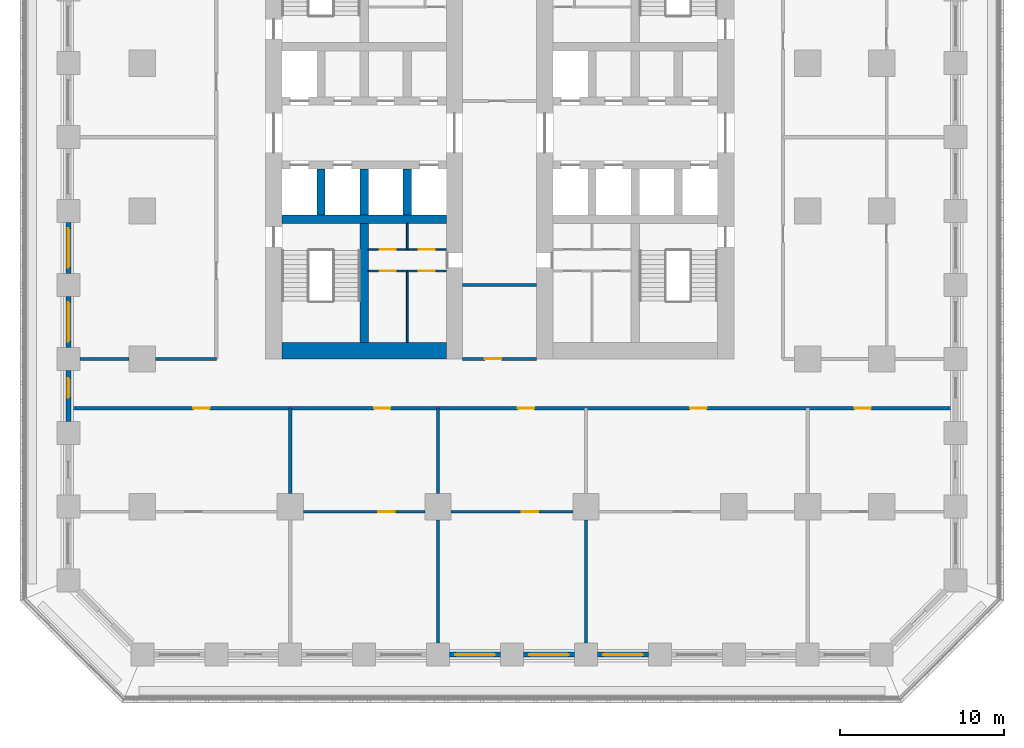
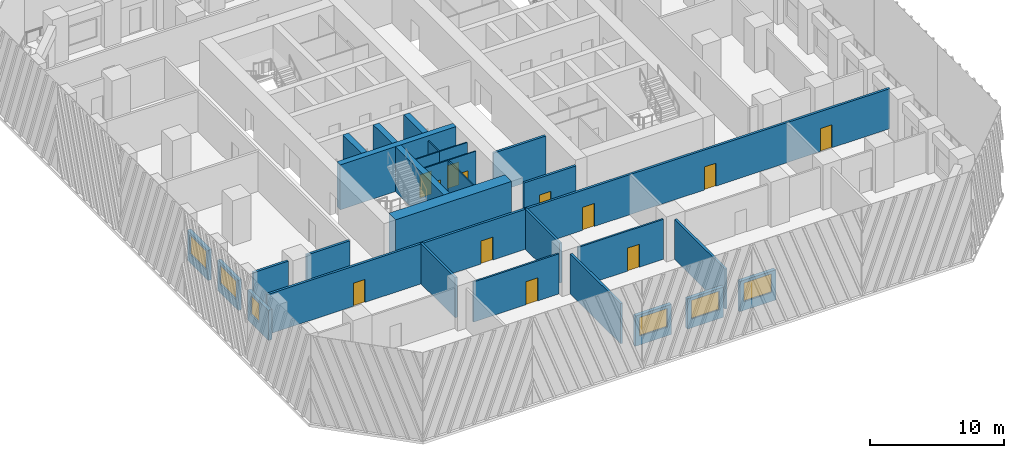
# One storey, part 3 of 14: 29 walls, 12 doors, 6 windows, 18 openings.
"""IFC4 building model written with IfcOpenShell, lengths in metres."""

import ifcopenshell
import ifcopenshell.guid

model = None  # the IFC model being written
_history = None  # IfcOwnerHistory: only IFC2X3 demands one
_inside = {}  # id of a spatial element -> (the spatial element, [elements in it])
_under = {}  # id of a project, library or spatial element -> (it, [spatial elements below it])
_declared = {}  # id of a project -> (the project, [libraries it declares])
_typed = {}  # id of a type object -> (the type object, [elements of that type])
_made_of = {}  # id of a material, layer set ... -> (it, [elements and type objects made of it])


def new_model(schema):
    """Start an empty IFC model of exactly this schema.

    Asked for "IFC4X3", IfcOpenShell would pick the latest addendum, in which some entities
    have other attributes; the version numbers below select the first issue.
    IFC2X3 requires an IfcOwnerHistory on every rooted entity: one is made here for all.
    """
    global model, _history
    if schema == "IFC4X3":
        model = ifcopenshell.file(schema_version=(4, 3, 0, 0))
    else:
        model = ifcopenshell.file(schema=schema)
    _inside.clear()
    _under.clear()
    _declared.clear()
    _typed.clear()
    _made_of.clear()
    _history = None
    if model.schema == "IFC2X3":
        org = make("IfcOrganization", Name="unknown")
        user = make(
            "IfcPersonAndOrganization",
            ThePerson=make("IfcPerson", FamilyName="unknown"),
            TheOrganization=org,
        )
        app = make(
            "IfcApplication",
            ApplicationDeveloper=org,
            Version="unknown",
            ApplicationFullName="unknown",
            ApplicationIdentifier="unknown",
        )
        _history = make(
            "IfcOwnerHistory",
            OwningUser=user,
            OwningApplication=app,
            ChangeAction="ADDED",
            CreationDate=0,
        )
    return model


def make(cls, **values):
    """One entity of the class cls with the attributes given. An attribute that is None is left unset."""
    return model.create_entity(
        cls, **{name: value for name, value in values.items() if value is not None}
    )


def rooted(cls, **values):
    """An entity with a GlobalId (a new one), such as an element, a storey or a relation."""
    return make(cls, GlobalId=ifcopenshell.guid.new(), OwnerHistory=_history, **values)


def si_unit(unit_type, name, prefix=None):
    """IfcSIUnit, for example si_unit("LENGTHUNIT", "METRE", prefix="MILLI")."""
    return make("IfcSIUnit", UnitType=unit_type, Prefix=prefix, Name=name)


def assignment(units):
    """IfcUnitAssignment: the units of a project."""
    return None if units is None else make("IfcUnitAssignment", Units=units)


def point(xyz):
    """IfcCartesianPoint."""
    return None if xyz is None else make("IfcCartesianPoint", Coordinates=xyz)


def direction(xyz):
    """IfcDirection."""
    return None if xyz is None else make("IfcDirection", DirectionRatios=xyz)


def frame(location, z_axis=None, x_axis=None):
    """IfcAxis2Placement3D, a coordinate frame: its origin and axes. An axis left out is left unset."""
    return make(
        "IfcAxis2Placement3D",
        Location=point(location),
        Axis=direction(z_axis),
        RefDirection=direction(x_axis),
    )


def frame_2d(location, x_axis=None):
    """IfcAxis2Placement2D, a coordinate frame in the plane: its origin and x axis."""
    return make(
        "IfcAxis2Placement2D", Location=point(location), RefDirection=direction(x_axis)
    )


def origin():
    """The frame at (0, 0, 0) with its axes left unset."""
    return frame((0.0, 0.0, 0.0))


def place(relative_to, where):
    """IfcLocalPlacement: puts the frame where relative to a parent placement (None: the world)."""
    return make(
        "IfcLocalPlacement", PlacementRelTo=relative_to, RelativePlacement=where
    )


def context(
    kind, dimensions, precision=None, world=None, true_north=None, identifier=None
):
    """IfcGeometricRepresentationContext, for example the 3D "Model" context."""
    return make(
        "IfcGeometricRepresentationContext",
        ContextIdentifier=identifier,
        ContextType=kind,
        CoordinateSpaceDimension=dimensions,
        Precision=precision,
        WorldCoordinateSystem=world,
        TrueNorth=true_north,
    )


def subcontext(parent, identifier, kind, view, scale=None):
    """IfcGeometricRepresentationSubContext, for example "Body" below "Model"."""
    return make(
        "IfcGeometricRepresentationSubContext",
        ContextIdentifier=identifier,
        ContextType=kind,
        ParentContext=parent,
        TargetScale=scale,
        TargetView=view,
    )


def project(units=None, contexts=None):
    """IfcProject with its units and contexts."""
    return rooted(
        "IfcProject",
        Name="project",
        RepresentationContexts=contexts,
        UnitsInContext=assignment(units),
    )


def spatial(cls, under=None, at=None, **own):
    """A site, building, storey or space (cls), placed at a placement, below another one or the project."""
    s = rooted(cls, ObjectPlacement=at, **own)
    if under is not None:
        _under.setdefault(under.id(), (under, []))[1].append(s)
    return s


def profile(cls, at=None, kind="AREA", **sizes):
    """A parametric profile (cls). Its sizes go by their IFC names, for example OverallWidth=200.0."""
    return make(cls, ProfileType=kind, Position=at, **sizes)


def rectangle(**sizes):
    """IfcRectangleProfileDef."""
    return profile("IfcRectangleProfileDef", **sizes)


def extrude(swept, where, along, depth):
    """IfcExtrudedAreaSolid: the profile swept, set in the frame where, extruded along a direction by depth."""
    return make(
        "IfcExtrudedAreaSolid",
        SweptArea=swept,
        Position=where,
        ExtrudedDirection=direction(along),
        Depth=depth,
    )


def shape(context_of_items, identifier, shape_type, items):
    """IfcShapeRepresentation: the items that make up one representation, for example the "Body"."""
    return make(
        "IfcShapeRepresentation",
        ContextOfItems=context_of_items,
        RepresentationIdentifier=identifier,
        RepresentationType=shape_type,
        Items=items,
    )


def material(Name=None, Category=None):
    """IfcMaterial."""
    return make("IfcMaterial", Name=Name, Category=Category)


def layer(
    of_material, thickness, ventilated=None, Name=None, Category=None, Priority=None
):
    """IfcMaterialLayer: one layer of a wall or slab, of a material (None: an air gap)."""
    return make(
        "IfcMaterialLayer",
        Material=of_material,
        LayerThickness=thickness,
        IsVentilated=ventilated,
        Name=Name,
        Category=Category,
        Priority=Priority,
    )


def layer_set(layers, Name=None):
    """IfcMaterialLayerSet."""
    return make("IfcMaterialLayerSet", MaterialLayers=layers, LayerSetName=Name)


def made_of(thing, what):
    """Note that an element or type object is made of a material, layer set ...; save() writes the relation."""
    if what is not None:
        _made_of.setdefault(what.id(), (what, []))[1].append(thing)
    return thing


def type_object(cls, material=None, **own):
    """A type object (cls), such as IfcWallType, which elements share."""
    return made_of(rooted(cls, **own), material)


def element(
    cls,
    number,
    at=None,
    inside=None,
    cuts=None,
    type_object=None,
    material=None,
    context=None,
    identifier="Body",
    shape_type=None,
    held_by="IfcProductDefinitionShape",
    body=None,
    shapes=None,
    **own,
):
    """One element of the class cls, such as IfcWall. Its Tag is "e" and its number.

    at: its placement. inside: the storey or other place that contains it. cuts: it is an
    opening in that element (IfcRelVoidsElement). A single representation is given by context,
    identifier, shape_type and body (its items); several are given by shapes. held_by: the class
    of the entity that holds the representations. save() writes the other relations.
    """
    e = rooted(cls, Tag="e%d" % number, ObjectPlacement=at, **own)
    if body is not None:
        shapes = [shape(context, identifier, shape_type, body)]
    if shapes is not None:
        e.Representation = make(held_by, Representations=shapes)
    if inside is not None:
        _inside.setdefault(inside.id(), (inside, []))[1].append(e)
    if cuts is not None:
        rooted(
            "IfcRelVoidsElement", RelatingBuildingElement=cuts, RelatedOpeningElement=e
        )
    if type_object is not None:
        _typed.setdefault(type_object.id(), (type_object, []))[1].append(e)
    return made_of(e, material)


def fill(opening, filler):
    """IfcRelFillsElement: the door or window that sits in an opening."""
    return rooted(
        "IfcRelFillsElement",
        RelatingOpeningElement=opening,
        RelatedBuildingElement=filler,
    )


def aggregate(whole, parts):
    """IfcRelAggregates: a whole, such as a stair, and the parts it consists of."""
    return rooted("IfcRelAggregates", RelatingObject=whole, RelatedObjects=parts)


def save(model, path):
    """Write the relations noted so far, then the file.

    IfcRelAggregates (storeys below a building ...), IfcRelContainedInSpatialStructure (elements
    in a storey), IfcRelDefinesByType, IfcRelAssociatesMaterial and IfcRelDeclares: one each for
    every whole, place, type object, material and project.
    """
    for whole, parts in _under.values():
        aggregate(whole, parts)
    for where, things in _inside.values():
        rooted(
            "IfcRelContainedInSpatialStructure",
            RelatedElements=things,
            RelatingStructure=where,
        )
    for kind, things in _typed.values():
        rooted("IfcRelDefinesByType", RelatedObjects=things, RelatingType=kind)
    for what, things in _made_of.values():
        rooted("IfcRelAssociatesMaterial", RelatedObjects=things, RelatingMaterial=what)
    for by, libraries in _declared.values():
        rooted("IfcRelDeclares", RelatingContext=by, RelatedDefinitions=libraries)
    model.write(path)


model = new_model("IFC4")

# Units and contexts
model_context = context("Model", 3, precision=1e-05, world=origin(), true_north=direction((0.0, 1.0)))
body_context = subcontext(model_context, "Body", "Model", "MODEL_VIEW")
ifc_project = project(units=[si_unit("LENGTHUNIT", "METRE"), si_unit("AREAUNIT", "SQUARE_METRE"), si_unit("VOLUMEUNIT", "CUBIC_METRE"), si_unit("PLANEANGLEUNIT", "RADIAN"), si_unit("MASSUNIT", "GRAM", prefix="KILO")], contexts=[model_context])

# Site, building, storey
site_placement = place(None, origin())
site = spatial("IfcSite", under=ifc_project, at=site_placement, CompositionType="ELEMENT")
building_placement = place(site_placement, origin())
building = spatial("IfcBuilding", under=site, at=building_placement, Name="Corbel Stack Research Tower", CompositionType="ELEMENT")
storey_placement = place(building_placement, frame((0.0, 0.0, 58.300048828125)))
storey = spatial("IfcBuildingStorey", under=building, at=storey_placement, Name="L13", CompositionType="ELEMENT", Elevation=58.300048828125)

# Walls
ifc_material_1 = material(Name="Concrete C70/85", Category="concrete")
ifc_layer_1 = layer(ifc_material_1, 1.0)
ifc_layer_set_1 = layer_set([ifc_layer_1], Name="Concrete C70/85")
wall_type_1 = type_object("IfcWallType", Name="CW-1000-70", PredefinedType="SHEAR", material=ifc_layer_set_1)
wall_1_placement = place(storey_placement, frame((-9.5, -8.5, 0.0), z_axis=(0.0, 0.0, 1.0), x_axis=(1.0, 0.0, 0.0)))
element("IfcWall", 1, at=wall_1_placement, inside=storey, type_object=wall_type_1, Name="West core wall, south end L13", PredefinedType="SHEAR", context=body_context, shape_type="SweptSolid", body=[
    extrude(rectangle(XDim=10.0, YDim=1.0, at=frame_2d((5.0, 0.0))), origin(), (0.0, 0.0, 1.0), 4.099853515625),
])
ifc_material_2 = material(Name="Concrete C70/85", Category="concrete")
ifc_layer_2 = layer(ifc_material_2, 0.5)
ifc_layer_set_2 = layer_set([ifc_layer_2], Name="Concrete C70/85")
wall_type_2 = type_object("IfcWallType", Name="CW-500-70", PredefinedType="SHEAR", material=ifc_layer_set_2)
wall_2_placement = place(storey_placement, frame((-9.5, -0.5, 0.0), z_axis=(0.0, 0.0, 1.0), x_axis=(1.0, 0.0, 0.0)))
element("IfcWall", 2, at=wall_2_placement, inside=storey, type_object=wall_type_2, Name="West core wall, south row back L13", PredefinedType="SHEAR", context=body_context, shape_type="SweptSolid", body=[
    extrude(rectangle(XDim=10.0, YDim=0.5, at=frame_2d((5.0, 0.0))), origin(), (0.0, 0.0, 1.0), 4.099853515625),
])
for number, where, z_axis, x_axis, name in (
    (3, (-7.125, -0.25, 0.0), (0.0, 0.0, 1.0), (0.0, 1.0, 0.0), "West core wall, south shaft 1 L13"),
    (4, (-4.5, -0.25, 0.0), (0.0, 0.0, 1.0), (0.0, 1.0, 0.0), "West core wall, south shaft 2 L13"),
    (5, (-1.875, -0.25, 0.0), (0.0, 0.0, 1.0), (0.0, 1.0, 0.0), "West core wall, south shaft 3 L13"),
):
    element("IfcWall", number, at=place(storey_placement, frame(where, z_axis=z_axis, x_axis=x_axis)), inside=storey, type_object=wall_type_2, Name=name, PredefinedType="SHEAR", context=body_context, shape_type="SweptSolid", body=[
        extrude(rectangle(XDim=2.800048828125, YDim=0.5, at=frame_2d((1.39990234375, 0.0))), origin(), (0.0, 0.0, 1.0), 4.099853515625),
    ])
wall_3_placement = place(storey_placement, frame((-4.5, -8.0, 0.0), z_axis=(0.0, 0.0, 1.0), x_axis=(0.0, 1.0, 0.0)))
element("IfcWall", 6, at=wall_3_placement, inside=storey, type_object=wall_type_2, Name="West core wall, south stair and WC L13", PredefinedType="SHEAR", context=body_context, shape_type="SweptSolid", body=[
    extrude(rectangle(XDim=7.25, YDim=0.5, at=frame_2d((3.625, 0.0))), origin(), (0.0, 0.0, 1.0), 4.099853515625),
])

# Wall, opening, door
ifc_material_3 = material(Name="Gypsum board")
ifc_layer_3 = layer(ifc_material_3, 0.10009765625)
ifc_layer_set_3 = layer_set([ifc_layer_3], Name="Gypsum board")
wall_type_3 = type_object("IfcWallType", Name="Core partition 100", PredefinedType="PARTITIONING", material=ifc_layer_set_3)
wall_4_placement = place(storey_placement, frame((-1.875, -3.64990234375, 0.0), z_axis=(0.0, 0.0, 1.0), x_axis=(1.0, 0.0, 0.0)))
wall_4 = element("IfcWall", 7, at=wall_4_placement, inside=storey, type_object=wall_type_3, Name="Core partition W", PredefinedType="PARTITIONING", context=body_context, shape_type="SweptSolid", body=[
    extrude(rectangle(XDim=2.375, YDim=0.10009765625, at=frame_2d((1.1875, 0.0))), origin(), (0.0, 0.0, 1.0), 3.64990234375),
])
opening_1_placement = place(wall_4_placement, frame((0.6875, 0.0, 0.0)))
opening_1 = element("IfcOpeningElement", 8, at=opening_1_placement, cuts=wall_4, Name="Opening CR-W54-W2-1000", PredefinedType="OPENING", context=body_context, shape_type="SweptSolid", body=[
    extrude(rectangle(XDim=1.0, YDim=2.10009765625, at=frame_2d((0.5, 1.050048828125))), frame((0.0, 0.06005859375, 0.0), z_axis=(0.0, -1.0, 0.0), x_axis=(1.0, 0.0, 0.0)), (0.0, 0.0, 1.0), 0.1201171875),
])
ifc_material_4 = material(Name="Painted timber door", Category="wood")
door_type_1 = type_object("IfcDoorType", Name="WC door 1000 x 2100 right hand", OperationType="SINGLE_SWING_RIGHT", PredefinedType="DOOR", material=ifc_material_4)
door_1_placement = place(opening_1_placement, origin())
door_1 = element("IfcDoor", 9, at=door_1_placement, inside=storey, type_object=door_type_1, Name="Women's WC door W core", OperationType="SINGLE_SWING_RIGHT", OverallHeight=2.10009765625, OverallWidth=1.0, PredefinedType="DOOR", context=body_context, shape_type="SweptSolid", body=[
    extrude(rectangle(XDim=1.0, YDim=2.10009765625, at=frame_2d((0.5, 1.050048828125))), frame((0.0, 0.02490234375, 0.0), z_axis=(0.0, -1.0, 0.0), x_axis=(1.0, 0.0, 0.0)), (0.0, 0.0, 1.0), 0.050048828125),
])
fill(opening_1, door_1)

wall_5_placement = place(storey_placement, frame((-4.25, -3.64990234375, 0.0), z_axis=(0.0, 0.0, 1.0), x_axis=(1.0, 0.0, 0.0)))
wall_5 = element("IfcWall", 10, at=wall_5_placement, inside=storey, type_object=wall_type_3, Name="Core partition W", PredefinedType="PARTITIONING", context=body_context, shape_type="SweptSolid", body=[
    extrude(rectangle(XDim=2.375, YDim=0.10009765625, at=frame_2d((1.1875, 0.0))), origin(), (0.0, 0.0, 1.0), 3.64990234375),
])
opening_2_placement = place(wall_5_placement, frame((0.6875, 0.0, 0.0)))
opening_2 = element("IfcOpeningElement", 11, at=opening_2_placement, cuts=wall_5, Name="Opening CR-W54-W3-1000", PredefinedType="OPENING", context=body_context, shape_type="SweptSolid", body=[
    extrude(rectangle(XDim=1.0, YDim=2.10009765625, at=frame_2d((0.5, 1.050048828125))), frame((0.0, 0.06005859375, 0.0), z_axis=(0.0, -1.0, 0.0), x_axis=(1.0, 0.0, 0.0)), (0.0, 0.0, 1.0), 0.1201171875),
])
ifc_material_5 = material(Name="Painted timber door", Category="wood")
door_type_2 = type_object("IfcDoorType", Name="WC door 1000 x 2100 left hand", OperationType="SINGLE_SWING_LEFT", PredefinedType="DOOR", material=ifc_material_5)
door_2_placement = place(opening_2_placement, origin())
door_2 = element("IfcDoor", 12, at=door_2_placement, inside=storey, type_object=door_type_2, Name="Men's WC door W core", OperationType="SINGLE_SWING_LEFT", OverallHeight=2.10009765625, OverallWidth=1.0, PredefinedType="DOOR", context=body_context, shape_type="SweptSolid", body=[
    extrude(rectangle(XDim=1.0, YDim=2.10009765625, at=frame_2d((0.5, 1.050048828125))), frame((0.0, 0.02490234375, 0.0), z_axis=(0.0, -1.0, 0.0), x_axis=(1.0, 0.0, 0.0)), (0.0, 0.0, 1.0), 0.050048828125),
])
fill(opening_2, door_2)

wall_6_placement = place(storey_placement, frame((-1.875, -2.344970703125, 0.0), z_axis=(0.0, 0.0, 1.0), x_axis=(1.0, 0.0, 0.0)))
wall_6 = element("IfcWall", 13, at=wall_6_placement, inside=storey, type_object=wall_type_3, Name="Core partition W", PredefinedType="PARTITIONING", context=body_context, shape_type="SweptSolid", body=[
    extrude(rectangle(XDim=2.375, YDim=0.10009765625, at=frame_2d((1.1875, 0.0))), origin(), (0.0, 0.0, 1.0), 3.64990234375),
])
opening_3_placement = place(wall_6_placement, frame((0.6875, 0.0, 0.0)))
opening_3 = element("IfcOpeningElement", 14, at=opening_3_placement, cuts=wall_6, Name="Opening CR-W54-W4-1000", PredefinedType="OPENING", context=body_context, shape_type="SweptSolid", body=[
    extrude(rectangle(XDim=1.0, YDim=2.10009765625, at=frame_2d((0.5, 1.050048828125))), frame((0.0, 0.06005859375, 0.0), z_axis=(0.0, -1.0, 0.0), x_axis=(1.0, 0.0, 0.0)), (0.0, 0.0, 1.0), 0.1201171875),
])
door_3_placement = place(opening_3_placement, origin())
door_3 = element("IfcDoor", 15, at=door_3_placement, inside=storey, type_object=door_type_1, Name="Accessible WC door W core", OperationType="SINGLE_SWING_RIGHT", OverallHeight=2.10009765625, OverallWidth=1.0, PredefinedType="DOOR", context=body_context, shape_type="SweptSolid", body=[
    extrude(rectangle(XDim=1.0, YDim=2.10009765625, at=frame_2d((0.5, 1.050048828125))), frame((0.0, 0.02490234375, 0.0), z_axis=(0.0, -1.0, 0.0), x_axis=(1.0, 0.0, 0.0)), (0.0, 0.0, 1.0), 0.050048828125),
])
fill(opening_3, door_3)

wall_7_placement = place(storey_placement, frame((-4.25, -2.344970703125, 0.0), z_axis=(0.0, 0.0, 1.0), x_axis=(1.0, 0.0, 0.0)))
wall_7 = element("IfcWall", 16, at=wall_7_placement, inside=storey, type_object=wall_type_3, Name="Core partition W", PredefinedType="PARTITIONING", context=body_context, shape_type="SweptSolid", body=[
    extrude(rectangle(XDim=2.375, YDim=0.10009765625, at=frame_2d((1.1875, 0.0))), origin(), (0.0, 0.0, 1.0), 3.64990234375),
])
opening_4_placement = place(wall_7_placement, frame((0.6875, 0.0, 0.0)))
opening_4 = element("IfcOpeningElement", 17, at=opening_4_placement, cuts=wall_7, Name="Opening CR-W54-W5-1000", PredefinedType="OPENING", context=body_context, shape_type="SweptSolid", body=[
    extrude(rectangle(XDim=1.0, YDim=2.10009765625, at=frame_2d((0.5, 1.050048828125))), frame((0.0, 0.06005859375, 0.0), z_axis=(0.0, -1.0, 0.0), x_axis=(1.0, 0.0, 0.0)), (0.0, 0.0, 1.0), 0.1201171875),
])
door_4_placement = place(opening_4_placement, origin())
door_4 = element("IfcDoor", 18, at=door_4_placement, inside=storey, type_object=door_type_2, Name="Shower and changing room door W core", OperationType="SINGLE_SWING_LEFT", OverallHeight=2.10009765625, OverallWidth=1.0, PredefinedType="DOOR", context=body_context, shape_type="SweptSolid", body=[
    extrude(rectangle(XDim=1.0, YDim=2.10009765625, at=frame_2d((0.5, 1.050048828125))), frame((0.0, 0.02490234375, 0.0), z_axis=(0.0, -1.0, 0.0), x_axis=(1.0, 0.0, 0.0)), (0.0, 0.0, 1.0), 0.050048828125),
])
fill(opening_4, door_4)

# Walls
wall_8_placement = place(storey_placement, frame((-1.875, -8.0, 0.0), z_axis=(0.0, 0.0, 1.0), x_axis=(0.0, 1.0, 0.0)))
element("IfcWall", 19, at=wall_8_placement, inside=storey, type_object=wall_type_3, Name="Core partition W", PredefinedType="PARTITIONING", context=body_context, shape_type="SweptSolid", body=[
    extrude(rectangle(XDim=4.35009765625, YDim=0.10009765625, at=frame_2d((2.175048828125, 0.0))), origin(), (0.0, 0.0, 1.0), 3.64990234375),
])
wall_9_placement = place(storey_placement, frame((-1.875, -2.344970703125, 0.0), z_axis=(0.0, 0.0, 1.0), x_axis=(0.0, 1.0, 0.0)))
element("IfcWall", 20, at=wall_9_placement, inside=storey, type_object=wall_type_3, Name="Core partition W", PredefinedType="PARTITIONING", context=body_context, shape_type="SweptSolid", body=[
    extrude(rectangle(XDim=1.594970703125, YDim=0.10009765625, at=frame_2d((0.79736328125, 0.0))), origin(), (0.0, 0.0, 1.0), 3.64990234375),
])
ifc_material_6 = material(Name="Fire-rated gypsum board partition on steel studs", Category="steel")
ifc_layer_4 = layer(ifc_material_6, 0.199951171875)
ifc_layer_set_4 = layer_set([ifc_layer_4], Name="Fire-rated gypsum board partition on steel studs")
wall_type_4 = type_object("IfcWallType", Name="Fire-rated partition 200 EI 60", PredefinedType="PARTITIONING", material=ifc_layer_set_4)
wall_10_placement = place(storey_placement, frame((-9.0, -17.199951171875, 0.0), z_axis=(0.0, 0.0, 1.0), x_axis=(0.0, 1.0, 0.0)))
element("IfcWall", 21, at=wall_10_placement, inside=storey, type_object=wall_type_4, Name="Partition L13-003", PredefinedType="PARTITIONING", context=body_context, shape_type="SweptSolid", body=[
    extrude(rectangle(XDim=5.199951171875, YDim=0.199951171875, at=frame_2d((2.60009765625, 0.0))), origin(), (0.0, 0.0, 1.0), 3.64990234375),
])
wall_11_placement = place(storey_placement, frame((0.0, -26.300048828125, 0.0), z_axis=(0.0, 0.0, 1.0), x_axis=(0.0, 1.0, 0.0)))
element("IfcWall", 22, at=wall_11_placement, inside=storey, type_object=wall_type_4, Name="Partition L13-005", PredefinedType="PARTITIONING", context=body_context, shape_type="SweptSolid", body=[
    extrude(rectangle(XDim=7.5, YDim=0.199951171875, at=frame_2d((3.75, 0.0))), origin(), (0.0, 0.0, 1.0), 3.64990234375),
])
wall_12_placement = place(storey_placement, frame((0.0, -17.199951171875, 0.0), z_axis=(0.0, 0.0, 1.0), x_axis=(0.0, 1.0, 0.0)))
element("IfcWall", 23, at=wall_12_placement, inside=storey, type_object=wall_type_4, Name="Partition L13-006", PredefinedType="PARTITIONING", context=body_context, shape_type="SweptSolid", body=[
    extrude(rectangle(XDim=5.199951171875, YDim=0.199951171875, at=frame_2d((2.60009765625, 0.0))), origin(), (0.0, 0.0, 1.0), 3.64990234375),
])
wall_13_placement = place(storey_placement, frame((9.0, -26.300048828125, 0.0), z_axis=(0.0, 0.0, 1.0), x_axis=(0.0, 1.0, 0.0)))
element("IfcWall", 24, at=wall_13_placement, inside=storey, type_object=wall_type_4, Name="Partition L13-008", PredefinedType="PARTITIONING", context=body_context, shape_type="SweptSolid", body=[
    extrude(rectangle(XDim=7.5, YDim=0.199951171875, at=frame_2d((3.75, 0.0))), origin(), (0.0, 0.0, 1.0), 3.64990234375),
])

# Wall, openings, doors
wall_14_placement = place(storey_placement, frame((31.35009765625, -12.0, 0.0), z_axis=(0.0, 0.0, 1.0), x_axis=(-1.0, 0.0, 0.0)))
wall_14 = element("IfcWall", 25, at=wall_14_placement, inside=storey, type_object=wall_type_4, Name="Partition L13-026", PredefinedType="PARTITIONING", context=body_context, shape_type="SweptSolid", body=[
    extrude(rectangle(XDim=53.7001953125, YDim=0.199951171875, at=frame_2d((26.85009765625, 0.0))), origin(), (0.0, 0.0, 1.0), 3.64990234375),
])
opening_5_placement = place(wall_14_placement, frame((45.25, 0.0, 0.0)))
opening_5 = element("IfcOpeningElement", 26, at=opening_5_placement, cuts=wall_14, Name="Opening B2V2-008", PredefinedType="OPENING", context=body_context, shape_type="SweptSolid", body=[
    extrude(rectangle(XDim=1.0, YDim=2.10009765625, at=frame_2d((0.5, 1.050048828125))), frame((0.0, 0.10986328125, 0.0), z_axis=(0.0, -1.0, 0.0), x_axis=(1.0, 0.0, 0.0)), (0.0, 0.0, 1.0), 0.219970703125),
])
opening_6_placement = place(wall_14_placement, frame((34.25, 0.0, 0.0)))
opening_6 = element("IfcOpeningElement", 27, at=opening_6_placement, cuts=wall_14, Name="Opening B2V2-009", PredefinedType="OPENING", context=body_context, shape_type="SweptSolid", body=[
    extrude(rectangle(XDim=1.0, YDim=2.10009765625, at=frame_2d((0.5, 1.050048828125))), frame((0.0, 0.10986328125, 0.0), z_axis=(0.0, -1.0, 0.0), x_axis=(1.0, 0.0, 0.0)), (0.0, 0.0, 1.0), 0.219970703125),
])
opening_7_placement = place(wall_14_placement, frame((25.5, 0.0, 0.0)))
opening_7 = element("IfcOpeningElement", 28, at=opening_7_placement, cuts=wall_14, Name="Opening B2V2-010", PredefinedType="OPENING", context=body_context, shape_type="SweptSolid", body=[
    extrude(rectangle(XDim=1.0, YDim=2.10009765625, at=frame_2d((0.5, 1.050048828125))), frame((0.0, 0.10986328125, 0.0), z_axis=(0.0, -1.0, 0.0), x_axis=(1.0, 0.0, 0.0)), (0.0, 0.0, 1.0), 0.219970703125),
])
opening_8_placement = place(wall_14_placement, frame((15.0, 0.0, 0.0)))
opening_8 = element("IfcOpeningElement", 29, at=opening_8_placement, cuts=wall_14, Name="Opening B2V2-011", PredefinedType="OPENING", context=body_context, shape_type="SweptSolid", body=[
    extrude(rectangle(XDim=1.0, YDim=2.10009765625, at=frame_2d((0.5, 1.050048828125))), frame((0.0, 0.10986328125, 0.0), z_axis=(0.0, -1.0, 0.0), x_axis=(1.0, 0.0, 0.0)), (0.0, 0.0, 1.0), 0.219970703125),
])
opening_9_placement = place(wall_14_placement, frame((5.0, 0.0, 0.0)))
opening_9 = element("IfcOpeningElement", 30, at=opening_9_placement, cuts=wall_14, Name="Opening B2V2-012", PredefinedType="OPENING", context=body_context, shape_type="SweptSolid", body=[
    extrude(rectangle(XDim=1.0, YDim=2.10009765625, at=frame_2d((0.5, 1.050048828125))), frame((0.0, 0.10986328125, 0.0), z_axis=(0.0, -1.0, 0.0), x_axis=(1.0, 0.0, 0.0)), (0.0, 0.0, 1.0), 0.219970703125),
])
ifc_material_7 = material(Name="Painted steel fire door", Category="steel")
door_type_3 = type_object("IfcDoorType", Name="Fire door FD30S 1000 x 2100", OperationType="NOTDEFINED", PredefinedType="DOOR", material=ifc_material_7)
door_5_placement = place(opening_5_placement, origin())
door_5 = element("IfcDoor", 31, at=door_5_placement, inside=storey, type_object=door_type_3, Name="Door B2V2-008", OperationType="SINGLE_SWING_RIGHT", OverallHeight=2.10009765625, OverallWidth=1.0, PredefinedType="DOOR", context=body_context, shape_type="SweptSolid", body=[
    extrude(rectangle(XDim=1.0, YDim=2.10009765625, at=frame_2d((0.5, 1.050048828125))), frame((0.0, 0.02490234375, 0.0), z_axis=(0.0, -1.0, 0.0), x_axis=(1.0, 0.0, 0.0)), (0.0, 0.0, 1.0), 0.050048828125),
])
fill(opening_5, door_5)
door_6_placement = place(opening_6_placement, origin())
door_6 = element("IfcDoor", 32, at=door_6_placement, inside=storey, type_object=door_type_3, Name="Door B2V2-009", OperationType="SINGLE_SWING_RIGHT", OverallHeight=2.10009765625, OverallWidth=1.0, PredefinedType="DOOR", context=body_context, shape_type="SweptSolid", body=[
    extrude(rectangle(XDim=1.0, YDim=2.10009765625, at=frame_2d((0.5, 1.050048828125))), frame((0.0, 0.02490234375, 0.0), z_axis=(0.0, -1.0, 0.0), x_axis=(1.0, 0.0, 0.0)), (0.0, 0.0, 1.0), 0.050048828125),
])
fill(opening_6, door_6)
door_7_placement = place(opening_7_placement, origin())
door_7 = element("IfcDoor", 33, at=door_7_placement, inside=storey, type_object=door_type_3, Name="Door B2V2-010", OperationType="SINGLE_SWING_LEFT", OverallHeight=2.10009765625, OverallWidth=1.0, PredefinedType="DOOR", context=body_context, shape_type="SweptSolid", body=[
    extrude(rectangle(XDim=1.0, YDim=2.10009765625, at=frame_2d((0.5, 1.050048828125))), frame((0.0, 0.02490234375, 0.0), z_axis=(0.0, -1.0, 0.0), x_axis=(1.0, 0.0, 0.0)), (0.0, 0.0, 1.0), 0.050048828125),
])
fill(opening_7, door_7)
door_8_placement = place(opening_8_placement, origin())
door_8 = element("IfcDoor", 34, at=door_8_placement, inside=storey, type_object=door_type_3, Name="Door B2V2-011", OperationType="SINGLE_SWING_LEFT", OverallHeight=2.10009765625, OverallWidth=1.0, PredefinedType="DOOR", context=body_context, shape_type="SweptSolid", body=[
    extrude(rectangle(XDim=1.0, YDim=2.10009765625, at=frame_2d((0.5, 1.050048828125))), frame((0.0, 0.02490234375, 0.0), z_axis=(0.0, -1.0, 0.0), x_axis=(1.0, 0.0, 0.0)), (0.0, 0.0, 1.0), 0.050048828125),
])
fill(opening_8, door_8)
door_9_placement = place(opening_9_placement, origin())
door_9 = element("IfcDoor", 35, at=door_9_placement, inside=storey, type_object=door_type_3, Name="Door B2V2-012", OperationType="SINGLE_SWING_LEFT", OverallHeight=2.10009765625, OverallWidth=1.0, PredefinedType="DOOR", context=body_context, shape_type="SweptSolid", body=[
    extrude(rectangle(XDim=1.0, YDim=2.10009765625, at=frame_2d((0.5, 1.050048828125))), frame((0.0, 0.02490234375, 0.0), z_axis=(0.0, -1.0, 0.0), x_axis=(1.0, 0.0, 0.0)), (0.0, 0.0, 1.0), 0.050048828125),
])
fill(opening_9, door_9)

# Walls
wall_15_placement = place(storey_placement, frame((-21.800048828125, -9.0, 0.0), z_axis=(0.0, 0.0, 1.0), x_axis=(1.0, 0.0, 0.0)))
element("IfcWall", 36, at=wall_15_placement, inside=storey, type_object=wall_type_4, Name="Partition L13-027", PredefinedType="PARTITIONING", context=body_context, shape_type="SweptSolid", body=[
    extrude(rectangle(XDim=3.0, YDim=0.199951171875, at=frame_2d((1.5, 0.0))), origin(), (0.0, 0.0, 1.0), 3.64990234375),
])
wall_16_placement = place(storey_placement, frame((-17.199951171875, -9.0, 0.0), z_axis=(0.0, 0.0, 1.0), x_axis=(1.0, 0.0, 0.0)))
element("IfcWall", 37, at=wall_16_placement, inside=storey, type_object=wall_type_4, Name="Partition L13-028", PredefinedType="PARTITIONING", context=body_context, shape_type="SweptSolid", body=[
    extrude(rectangle(XDim=3.699951171875, YDim=0.199951171875, at=frame_2d((1.85009765625, 0.0))), origin(), (0.0, 0.0, 1.0), 3.64990234375),
])

# Wall, opening, door
wall_17_placement = place(storey_placement, frame((1.5, -9.0, 0.0), z_axis=(0.0, 0.0, 1.0), x_axis=(1.0, 0.0, 0.0)))
wall_17 = element("IfcWall", 38, at=wall_17_placement, inside=storey, type_object=wall_type_4, Name="Partition L13-029", PredefinedType="PARTITIONING", context=body_context, shape_type="SweptSolid", body=[
    extrude(rectangle(XDim=4.5, YDim=0.199951171875, at=frame_2d((2.25, 0.0))), origin(), (0.0, 0.0, 1.0), 3.64990234375),
])
opening_10_placement = place(wall_17_placement, frame((1.35009765625, 0.0, 0.0)))
opening_10 = element("IfcOpeningElement", 39, at=opening_10_placement, cuts=wall_17, Name="Opening B2V2-013", PredefinedType="OPENING", context=body_context, shape_type="SweptSolid", body=[
    extrude(rectangle(XDim=1.0, YDim=2.10009765625, at=frame_2d((0.5, 1.050048828125))), frame((0.0, 0.10986328125, 0.0), z_axis=(0.0, -1.0, 0.0), x_axis=(1.0, 0.0, 0.0)), (0.0, 0.0, 1.0), 0.219970703125),
])
door_10_placement = place(opening_10_placement, origin())
door_10 = element("IfcDoor", 40, at=door_10_placement, inside=storey, type_object=door_type_3, Name="Door B2V2-013", OperationType="SINGLE_SWING_LEFT", OverallHeight=2.10009765625, OverallWidth=1.0, PredefinedType="DOOR", context=body_context, shape_type="SweptSolid", body=[
    extrude(rectangle(XDim=1.0, YDim=2.10009765625, at=frame_2d((0.5, 1.050048828125))), frame((0.0, 0.02490234375, 0.0), z_axis=(0.0, -1.0, 0.0), x_axis=(1.0, 0.0, 0.0)), (0.0, 0.0, 1.0), 0.050048828125),
])
fill(opening_10, door_10)

# Wall
wall_18_placement = place(storey_placement, frame((1.5, -4.5, 0.0), z_axis=(0.0, 0.0, 1.0), x_axis=(1.0, 0.0, 0.0)))
element("IfcWall", 41, at=wall_18_placement, inside=storey, type_object=wall_type_4, Name="Partition L13-033", PredefinedType="PARTITIONING", context=body_context, shape_type="SweptSolid", body=[
    extrude(rectangle(XDim=4.5, YDim=0.199951171875, at=frame_2d((2.25, 0.0))), origin(), (0.0, 0.0, 1.0), 3.64990234375),
])

# Wall, opening, door
ifc_material_8 = material(Name="Gypsum board partition on steel studs", Category="steel")
ifc_layer_5 = layer(ifc_material_8, 0.14990234375)
ifc_layer_set_5 = layer_set([ifc_layer_5], Name="Gypsum board partition on steel studs")
wall_type_5 = type_object("IfcWallType", Name="Partition 150", PredefinedType="PARTITIONING", material=ifc_layer_set_5)
wall_19_placement = place(storey_placement, frame((-0.800048828125, -18.300048828125, 0.0), z_axis=(0.0, 0.0, 1.0), x_axis=(-1.0, 0.0, 0.0)))
wall_19 = element("IfcWall", 42, at=wall_19_placement, inside=storey, type_object=wall_type_5, Name="Partition L13-020", PredefinedType="PARTITIONING", context=body_context, shape_type="SweptSolid", body=[
    extrude(rectangle(XDim=7.39990234375, YDim=0.14990234375, at=frame_2d((3.699951171875, 0.0))), origin(), (0.0, 0.0, 1.0), 3.64990234375),
])
opening_11_placement = place(wall_19_placement, frame((1.85009765625, 0.0, 0.0)))
opening_11 = element("IfcOpeningElement", 43, at=opening_11_placement, cuts=wall_19, Name="Opening B2V2-002", PredefinedType="OPENING", context=body_context, shape_type="SweptSolid", body=[
    extrude(rectangle(XDim=1.0, YDim=2.10009765625, at=frame_2d((0.5, 1.050048828125))), frame((0.0, 0.0849609375, 0.0), z_axis=(0.0, -1.0, 0.0), x_axis=(1.0, 0.0, 0.0)), (0.0, 0.0, 1.0), 0.169921875),
])
ifc_material_9 = material(Name="Painted timber door", Category="wood")
door_type_4 = type_object("IfcDoorType", Name="Single door 1000 x 2100", OperationType="NOTDEFINED", PredefinedType="DOOR", material=ifc_material_9)
door_11_placement = place(opening_11_placement, origin())
door_11 = element("IfcDoor", 44, at=door_11_placement, inside=storey, type_object=door_type_4, Name="Door B2V2-002", OperationType="SINGLE_SWING_LEFT", OverallHeight=2.10009765625, OverallWidth=1.0, PredefinedType="DOOR", context=body_context, shape_type="SweptSolid", body=[
    extrude(rectangle(XDim=1.0, YDim=2.10009765625, at=frame_2d((0.5, 1.050048828125))), frame((0.0, 0.02490234375, 0.0), z_axis=(0.0, -1.0, 0.0), x_axis=(1.0, 0.0, 0.0)), (0.0, 0.0, 1.0), 0.050048828125),
])
fill(opening_11, door_11)

wall_20_placement = place(storey_placement, frame((8.199951171875, -18.300048828125, 0.0), z_axis=(0.0, 0.0, 1.0), x_axis=(-1.0, 0.0, 0.0)))
wall_20 = element("IfcWall", 45, at=wall_20_placement, inside=storey, type_object=wall_type_5, Name="Partition L13-021", PredefinedType="PARTITIONING", context=body_context, shape_type="SweptSolid", body=[
    extrude(rectangle(XDim=7.39990234375, YDim=0.14990234375, at=frame_2d((3.699951171875, 0.0))), origin(), (0.0, 0.0, 1.0), 3.64990234375),
])
opening_12_placement = place(wall_20_placement, frame((2.10009765625, 0.0, 0.0)))
opening_12 = element("IfcOpeningElement", 46, at=opening_12_placement, cuts=wall_20, Name="Opening B2V2-003", PredefinedType="OPENING", context=body_context, shape_type="SweptSolid", body=[
    extrude(rectangle(XDim=1.0, YDim=2.10009765625, at=frame_2d((0.5, 1.050048828125))), frame((0.0, 0.0849609375, 0.0), z_axis=(0.0, -1.0, 0.0), x_axis=(1.0, 0.0, 0.0)), (0.0, 0.0, 1.0), 0.169921875),
])
door_12_placement = place(opening_12_placement, origin())
door_12 = element("IfcDoor", 47, at=door_12_placement, inside=storey, type_object=door_type_4, Name="Door B2V2-003", OperationType="SINGLE_SWING_LEFT", OverallHeight=2.10009765625, OverallWidth=1.0, PredefinedType="DOOR", context=body_context, shape_type="SweptSolid", body=[
    extrude(rectangle(XDim=1.0, YDim=2.10009765625, at=frame_2d((0.5, 1.050048828125))), frame((0.0, 0.02490234375, 0.0), z_axis=(0.0, -1.0, 0.0), x_axis=(1.0, 0.0, 0.0)), (0.0, 0.0, 1.0), 0.050048828125),
])
fill(opening_12, door_12)

# Wall, opening, window
ifc_material_10 = material(Name="Concrete C45/55", Category="concrete")
ifc_layer_6 = layer(ifc_material_10, 0.300048828125)
ifc_layer_set_6 = layer_set([ifc_layer_6], Name="Concrete C45/55")
wall_type_6 = type_object("IfcWallType", Name="Terracotta-faced concrete wall 300", PredefinedType="SOLIDWALL", material=ifc_layer_set_6)
wall_21_placement = place(storey_placement, frame((3.800048828125, -27.0, 0.0), z_axis=(0.0, 0.0, 1.0), x_axis=(-1.0, 0.0, 0.0)))
wall_21 = element("IfcWall", 48, at=wall_21_placement, inside=storey, type_object=wall_type_6, Name="Facade wall L13 S05", PredefinedType="SOLIDWALL", context=body_context, shape_type="SweptSolid", body=[
    extrude(rectangle(XDim=3.10009765625, YDim=0.300048828125, at=frame_2d((1.550048828125, 0.0))), origin(), (0.0, 0.0, 1.0), 2.75),
])
opening_13_placement = place(wall_21_placement, frame((0.35009765625, 0.0, 0.800048828125)))
opening_13 = element("IfcOpeningElement", 49, at=opening_13_placement, cuts=wall_21, Name="Opening W1", PredefinedType="OPENING", context=body_context, shape_type="SweptSolid", body=[
    extrude(rectangle(XDim=2.39990234375, YDim=1.699951171875, at=frame_2d((1.199951171875, 0.85009765625))), frame((0.0, 0.159912109375, 0.0), z_axis=(0.0, -1.0, 0.0), x_axis=(1.0, 0.0, 0.0)), (0.0, 0.0, 1.0), 0.320068359375),
])
ifc_material_11 = material(Name="Aluminium frame, clear double glazing", Category="aluminium")
window_type_1 = type_object("IfcWindowType", Name="Window W1 2400 x 1700", PartitioningType="SINGLE_PANEL", PredefinedType="WINDOW", material=ifc_material_11)
window_1_placement = place(opening_13_placement, origin())
window_1 = element("IfcWindow", 50, at=window_1_placement, inside=storey, type_object=window_type_1, Name="Window W1 L13 S05", OverallHeight=1.699951171875, OverallWidth=2.39990234375, PartitioningType="SINGLE_PANEL", PredefinedType="WINDOW", context=body_context, shape_type="SweptSolid", body=[
    extrude(rectangle(XDim=2.39990234375, YDim=1.699951171875, at=frame_2d((1.199951171875, 0.85009765625))), frame((0.0, 0.030029296875, 0.0), z_axis=(0.0, -1.0, 0.0), x_axis=(1.0, 0.0, 0.0)), (0.0, 0.0, 1.0), 0.06005859375),
])
fill(opening_13, window_1)

wall_22_placement = place(storey_placement, frame((8.300048828125, -27.0, 0.0), z_axis=(0.0, 0.0, 1.0), x_axis=(-1.0, 0.0, 0.0)))
wall_22 = element("IfcWall", 51, at=wall_22_placement, inside=storey, type_object=wall_type_6, Name="Facade wall L13 S06", PredefinedType="SOLIDWALL", context=body_context, shape_type="SweptSolid", body=[
    extrude(rectangle(XDim=3.10009765625, YDim=0.300048828125, at=frame_2d((1.550048828125, 0.0))), origin(), (0.0, 0.0, 1.0), 2.75),
])
opening_14_placement = place(wall_22_placement, frame((0.35009765625, 0.0, 0.800048828125)))
opening_14 = element("IfcOpeningElement", 52, at=opening_14_placement, cuts=wall_22, Name="Opening W1", PredefinedType="OPENING", context=body_context, shape_type="SweptSolid", body=[
    extrude(rectangle(XDim=2.39990234375, YDim=1.699951171875, at=frame_2d((1.199951171875, 0.85009765625))), frame((0.0, 0.159912109375, 0.0), z_axis=(0.0, -1.0, 0.0), x_axis=(1.0, 0.0, 0.0)), (0.0, 0.0, 1.0), 0.320068359375),
])
window_2_placement = place(opening_14_placement, origin())
window_2 = element("IfcWindow", 53, at=window_2_placement, inside=storey, type_object=window_type_1, Name="Window W1 L13 S06", OverallHeight=1.699951171875, OverallWidth=2.39990234375, PartitioningType="SINGLE_PANEL", PredefinedType="WINDOW", context=body_context, shape_type="SweptSolid", body=[
    extrude(rectangle(XDim=2.39990234375, YDim=1.699951171875, at=frame_2d((1.199951171875, 0.85009765625))), frame((0.0, 0.030029296875, 0.0), z_axis=(0.0, -1.0, 0.0), x_axis=(1.0, 0.0, 0.0)), (0.0, 0.0, 1.0), 0.06005859375),
])
fill(opening_14, window_2)

wall_23_placement = place(storey_placement, frame((12.800048828125, -27.0, 0.0), z_axis=(0.0, 0.0, 1.0), x_axis=(-1.0, 0.0, 0.0)))
wall_23 = element("IfcWall", 54, at=wall_23_placement, inside=storey, type_object=wall_type_6, Name="Facade wall L13 S07", PredefinedType="SOLIDWALL", context=body_context, shape_type="SweptSolid", body=[
    extrude(rectangle(XDim=3.10009765625, YDim=0.300048828125, at=frame_2d((1.550048828125, 0.0))), origin(), (0.0, 0.0, 1.0), 2.75),
])
opening_15_placement = place(wall_23_placement, frame((0.35009765625, 0.0, 0.800048828125)))
opening_15 = element("IfcOpeningElement", 55, at=opening_15_placement, cuts=wall_23, Name="Opening W1", PredefinedType="OPENING", context=body_context, shape_type="SweptSolid", body=[
    extrude(rectangle(XDim=2.39990234375, YDim=1.699951171875, at=frame_2d((1.199951171875, 0.85009765625))), frame((0.0, 0.159912109375, 0.0), z_axis=(0.0, -1.0, 0.0), x_axis=(1.0, 0.0, 0.0)), (0.0, 0.0, 1.0), 0.320068359375),
])
window_3_placement = place(opening_15_placement, origin())
window_3 = element("IfcWindow", 56, at=window_3_placement, inside=storey, type_object=window_type_1, Name="Window W1 L13 S07", OverallHeight=1.699951171875, OverallWidth=2.39990234375, PartitioningType="SINGLE_PANEL", PredefinedType="WINDOW", context=body_context, shape_type="SweptSolid", body=[
    extrude(rectangle(XDim=2.39990234375, YDim=1.699951171875, at=frame_2d((1.199951171875, 0.85009765625))), frame((0.0, 0.030029296875, 0.0), z_axis=(0.0, -1.0, 0.0), x_axis=(1.0, 0.0, 0.0)), (0.0, 0.0, 1.0), 0.06005859375),
])
fill(opening_15, window_3)

wall_24_placement = place(storey_placement, frame((-22.5, -3.800048828125, 0.0), z_axis=(0.0, 0.0, 1.0), x_axis=(0.0, 1.0, 0.0)))
wall_24 = element("IfcWall", 57, at=wall_24_placement, inside=storey, type_object=wall_type_6, Name="Facade wall L13 W06", PredefinedType="SOLIDWALL", context=body_context, shape_type="SweptSolid", body=[
    extrude(rectangle(XDim=3.10009765625, YDim=0.300048828125, at=frame_2d((1.550048828125, 0.0))), origin(), (0.0, 0.0, 1.0), 2.75),
])
opening_16_placement = place(wall_24_placement, frame((0.35009765625, 0.0, 0.800048828125)))
opening_16 = element("IfcOpeningElement", 58, at=opening_16_placement, cuts=wall_24, Name="Opening W1", PredefinedType="OPENING", context=body_context, shape_type="SweptSolid", body=[
    extrude(rectangle(XDim=2.39990234375, YDim=1.699951171875, at=frame_2d((1.199951171875, 0.85009765625))), frame((0.0, 0.159912109375, 0.0), z_axis=(0.0, -1.0, 0.0), x_axis=(1.0, 0.0, 0.0)), (0.0, 0.0, 1.0), 0.320068359375),
])
window_4_placement = place(opening_16_placement, origin())
window_4 = element("IfcWindow", 59, at=window_4_placement, inside=storey, type_object=window_type_1, Name="Window W1 L13 W06", OverallHeight=1.699951171875, OverallWidth=2.39990234375, PartitioningType="SINGLE_PANEL", PredefinedType="WINDOW", context=body_context, shape_type="SweptSolid", body=[
    extrude(rectangle(XDim=2.39990234375, YDim=1.699951171875, at=frame_2d((1.199951171875, 0.85009765625))), frame((0.0, 0.030029296875, 0.0), z_axis=(0.0, -1.0, 0.0), x_axis=(1.0, 0.0, 0.0)), (0.0, 0.0, 1.0), 0.06005859375),
])
fill(opening_16, window_4)

wall_25_placement = place(storey_placement, frame((-22.5, -8.300048828125, 0.0), z_axis=(0.0, 0.0, 1.0), x_axis=(0.0, 1.0, 0.0)))
wall_25 = element("IfcWall", 60, at=wall_25_placement, inside=storey, type_object=wall_type_6, Name="Facade wall L13 W07", PredefinedType="SOLIDWALL", context=body_context, shape_type="SweptSolid", body=[
    extrude(rectangle(XDim=3.10009765625, YDim=0.300048828125, at=frame_2d((1.550048828125, 0.0))), origin(), (0.0, 0.0, 1.0), 2.75),
])
opening_17_placement = place(wall_25_placement, frame((0.35009765625, 0.0, 0.800048828125)))
opening_17 = element("IfcOpeningElement", 61, at=opening_17_placement, cuts=wall_25, Name="Opening W1", PredefinedType="OPENING", context=body_context, shape_type="SweptSolid", body=[
    extrude(rectangle(XDim=2.39990234375, YDim=1.699951171875, at=frame_2d((1.199951171875, 0.85009765625))), frame((0.0, 0.159912109375, 0.0), z_axis=(0.0, -1.0, 0.0), x_axis=(1.0, 0.0, 0.0)), (0.0, 0.0, 1.0), 0.320068359375),
])
window_5_placement = place(opening_17_placement, origin())
window_5 = element("IfcWindow", 62, at=window_5_placement, inside=storey, type_object=window_type_1, Name="Window W1 L13 W07", OverallHeight=1.699951171875, OverallWidth=2.39990234375, PartitioningType="SINGLE_PANEL", PredefinedType="WINDOW", context=body_context, shape_type="SweptSolid", body=[
    extrude(rectangle(XDim=2.39990234375, YDim=1.699951171875, at=frame_2d((1.199951171875, 0.85009765625))), frame((0.0, 0.030029296875, 0.0), z_axis=(0.0, -1.0, 0.0), x_axis=(1.0, 0.0, 0.0)), (0.0, 0.0, 1.0), 0.06005859375),
])
fill(opening_17, window_5)

wall_26_placement = place(storey_placement, frame((-22.5, -12.800048828125, 0.0), z_axis=(0.0, 0.0, 1.0), x_axis=(0.0, 1.0, 0.0)))
wall_26 = element("IfcWall", 63, at=wall_26_placement, inside=storey, type_object=wall_type_6, Name="Facade wall L13 W08", PredefinedType="SOLIDWALL", context=body_context, shape_type="SweptSolid", body=[
    extrude(rectangle(XDim=3.10009765625, YDim=0.300048828125, at=frame_2d((1.550048828125, 0.0))), origin(), (0.0, 0.0, 1.0), 2.75),
])
opening_18_placement = place(wall_26_placement, frame((1.425048828125, 0.0, 0.800048828125)))
opening_18 = element("IfcOpeningElement", 64, at=opening_18_placement, cuts=wall_26, Name="Opening W2", PredefinedType="OPENING", context=body_context, shape_type="SweptSolid", body=[
    extrude(rectangle(XDim=1.199951171875, YDim=1.699951171875, at=frame_2d((0.60009765625, 0.85009765625))), frame((0.0, 0.159912109375, 0.0), z_axis=(0.0, -1.0, 0.0), x_axis=(1.0, 0.0, 0.0)), (0.0, 0.0, 1.0), 0.320068359375),
])
ifc_material_12 = material(Name="Aluminium frame, clear double glazing", Category="aluminium")
window_type_2 = type_object("IfcWindowType", Name="Window W2 1200 x 1700", PartitioningType="SINGLE_PANEL", PredefinedType="WINDOW", material=ifc_material_12)
window_6_placement = place(opening_18_placement, origin())
window_6 = element("IfcWindow", 65, at=window_6_placement, inside=storey, type_object=window_type_2, Name="Window W2 L13 W08", OverallHeight=1.699951171875, OverallWidth=1.199951171875, PartitioningType="SINGLE_PANEL", PredefinedType="WINDOW", context=body_context, shape_type="SweptSolid", body=[
    extrude(rectangle(XDim=1.199951171875, YDim=1.699951171875, at=frame_2d((0.60009765625, 0.85009765625))), frame((0.0, 0.030029296875, 0.0), z_axis=(0.0, -1.0, 0.0), x_axis=(1.0, 0.0, 0.0)), (0.0, 0.0, 1.0), 0.06005859375),
])
fill(opening_18, window_6)

save(model, "model.ifc")
